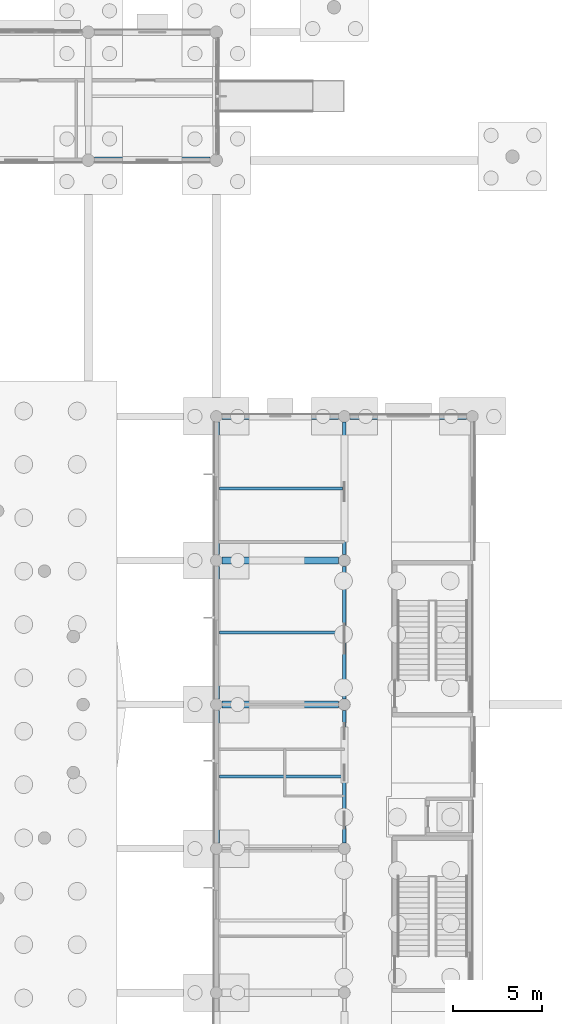
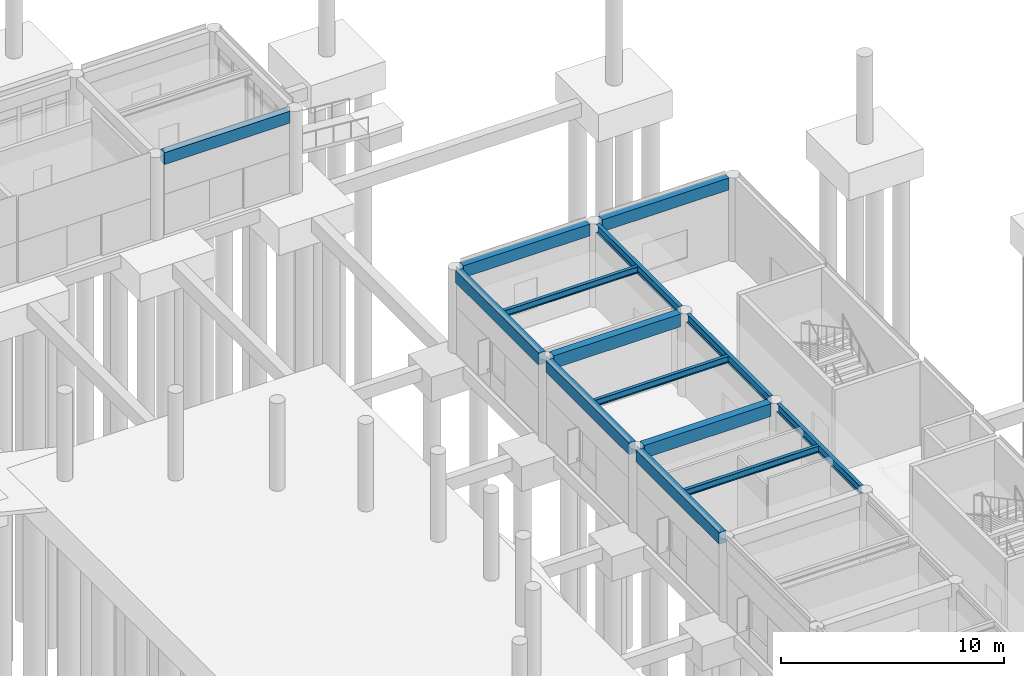
# One storey, part 37 of 103: 14 beams.
"""IFC4 building model written with IfcOpenShell, lengths in metres."""

from ifc_helpers import new_model, si_unit, direction, frame, origin, origin_2d, place, context, subcontext, project, spatial, rectangle, i_section, extrude, material, material_profile, profile_set, type_object, element, save


model = new_model("IFC4")

# Units and contexts
model_context = context("Model", 3, precision=1e-05, world=origin(), true_north=direction((0.0, 1.0)))
body_context = subcontext(model_context, "Body", "Model", "MODEL_VIEW")
ifc_project = project(units=[si_unit("LENGTHUNIT", "METRE"), si_unit("AREAUNIT", "SQUARE_METRE"), si_unit("VOLUMEUNIT", "CUBIC_METRE"), si_unit("PLANEANGLEUNIT", "RADIAN"), si_unit("MASSUNIT", "GRAM", prefix="KILO")], contexts=[model_context])

# Site, building, storey
site_placement = place(None, origin())
site = spatial("IfcSite", under=ifc_project, at=site_placement, CompositionType="ELEMENT")
building_placement = place(site_placement, origin())
building = spatial("IfcBuilding", under=site, at=building_placement, Name="Namkhue Oval Health Centre", CompositionType="ELEMENT")
storey_placement = place(building_placement, origin())
storey = spatial("IfcBuildingStorey", under=building, at=storey_placement, Name="L00", CompositionType="ELEMENT", Elevation=0.0)

# Beams
ifc_material_1 = material(Name="Structural steel EN 10025-2 S355JR (TCVN 5575:2024)", Category="steel")
ifc_material_profile_1 = material_profile(ifc_material_1, i_section(OverallWidth=0.18994140625, OverallDepth=0.449951171875, WebThickness=0.009521484375, FlangeThickness=0.0146484375, FilletRadius=0.02099609375, at=origin_2d()), Name="IPE 450")
ifc_profile_set_1 = profile_set([ifc_material_profile_1], Name="Structural steel EN 10025-2 S355JR (TCVN 5575:2024)")
beam_type_1 = type_object("IfcBeamType", Name="FLOOR BEAM STEEL IPE 450", PredefinedType="BEAM", material=ifc_profile_set_1)
for number, where, z_axis, x_axis, name in (
    (1, (144.0, 51.625, 4.340087890625), (0.0, 1.0, 0.0), (-1.0, 0.0, 0.0), "Volume V6 L01 Beam 21/H-J"),
    (2, (144.0, 59.72509765625, 4.340087890625), (0.0, 1.0, 0.0), (-1.0, 0.0, 0.0), "Volume V6 L01 Beam 21/J-K"),
    (3, (144.0, 67.824951171875, 4.340087890625), (0.0, 1.0, 0.0), (-1.0, 0.0, 0.0), "Volume V6 L01 Beam 21/K-L"),
):
    element("IfcBeam", number, at=place(storey_placement, frame(where, z_axis=z_axis, x_axis=x_axis)), inside=storey, type_object=beam_type_1, Name=name, PredefinedType="BEAM", context=body_context, shape_type="SweptSolid", body=[
        extrude(i_section(OverallWidth=0.18994140625, OverallDepth=0.449951171875, WebThickness=0.009521484375, FlangeThickness=0.0146484375, FilletRadius=0.02099609375, at=origin_2d()), origin(), (0.0, 0.0, 1.0), 7.449951171875),
    ])
ifc_material_2 = material(Name="Reinforced concrete C35/45 (TCVN B40)", Category="concrete")
ifc_material_profile_2 = material_profile(ifc_material_2, rectangle(XDim=0.35009765625, YDim=0.64990234375, at=origin_2d()), Name="RC 350x650")
ifc_profile_set_2 = profile_set([ifc_material_profile_2], Name="Reinforced concrete C35/45 (TCVN B40)")
beam_type_2 = type_object("IfcBeamType", Name="PERIMETER SPANDREL BEAM 350X650", PredefinedType="SPANDREL", material=ifc_profile_set_2)
beam_placement = place(storey_placement, frame((129.949951171875, 90.0, 4.2099609375), z_axis=(1.0, 0.0, 0.0), x_axis=(0.0, 1.0, 0.0)))
element("IfcBeam", 4, at=beam_placement, inside=storey, type_object=beam_type_2, Name="Volume V3 L01 Girder N/19-20", PredefinedType="SPANDREL", context=body_context, shape_type="SweptSolid", body=[
    extrude(rectangle(XDim=0.35009765625, YDim=0.64990234375, at=origin_2d()), origin(), (0.0, 0.0, 1.0), 6.5),
])
for number, where, z_axis, x_axis, name in (
    (5, (137.125, 75.60009765625, 4.239990234375), (1.0, 0.0, 0.0), (0.0, 1.0, 0.0), "Volume V6 L01 Girder L/20-21"),
    (6, (144.324951171875, 75.60009765625, 4.239990234375), (1.0, 0.0, 0.0), (0.0, 1.0, 0.0), "Volume V6 L01 Girder L/21-22"),
):
    element("IfcBeam", number, at=place(storey_placement, frame(where, z_axis=z_axis, x_axis=x_axis)), inside=storey, type_object=beam_type_2, Name=name, PredefinedType="SPANDREL", context=body_context, shape_type="SweptSolid", body=[
        extrude(rectangle(XDim=0.35009765625, YDim=0.64990234375, at=origin_2d()), origin(), (0.0, 0.0, 1.0), 6.550048828125),
    ])
for number, where, z_axis, x_axis, name in (
    (7, (136.800048828125, 51.625, 4.239990234375), (0.0, 1.0, 0.0), (-1.0, 0.0, 0.0), "Volume V6 L01 Beam 20/H-J"),
    (8, (136.800048828125, 59.72509765625, 4.239990234375), (0.0, 1.0, 0.0), (-1.0, 0.0, 0.0), "Volume V6 L01 Beam 20/J-K"),
    (9, (136.800048828125, 67.824951171875, 4.239990234375), (0.0, 1.0, 0.0), (-1.0, 0.0, 0.0), "Volume V6 L01 Beam 20/K-L"),
):
    element("IfcBeam", number, at=place(storey_placement, frame(where, z_axis=z_axis, x_axis=x_axis)), inside=storey, type_object=beam_type_2, Name=name, PredefinedType="SPANDREL", context=body_context, shape_type="SweptSolid", body=[
        extrude(rectangle(XDim=0.35009765625, YDim=0.64990234375, at=origin_2d()), origin(), (0.0, 0.0, 1.0), 7.449951171875),
    ])
ifc_material_profile_3 = material_profile(ifc_material_2, rectangle(XDim=0.39990234375, YDim=0.699951171875, at=origin_2d()), Name="RC 400x700")
ifc_profile_set_3 = profile_set([ifc_material_profile_3], Name="Reinforced concrete C35/45 (TCVN B40)")
beam_type_3 = type_object("IfcBeamType", Name="PRIMARY GIRDER RC 400X700", PredefinedType="USERDEFINED", material=ifc_profile_set_3)
for number, where, z_axis, x_axis, name in (
    (10, (137.125, 59.39990234375, 4.215087890625), (1.0, 0.0, 0.0), (0.0, 1.0, 0.0), "Volume V6 L01 Girder J/20-21"),
    (11, (137.125, 67.5, 4.215087890625), (1.0, 0.0, 0.0), (0.0, 1.0, 0.0), "Volume V6 L01 Girder K/20-21"),
):
    element("IfcBeam", number, at=place(storey_placement, frame(where, z_axis=z_axis, x_axis=x_axis)), inside=storey, type_object=beam_type_3, Name=name, ObjectType="GIRDER", PredefinedType="USERDEFINED", context=body_context, shape_type="SweptSolid", body=[
        extrude(rectangle(XDim=0.39990234375, YDim=0.699951171875, at=origin_2d()), origin(), (0.0, 0.0, 1.0), 6.550048828125),
    ])
ifc_material_profile_4 = material_profile(ifc_material_1, i_section(OverallWidth=0.169921875, OverallDepth=0.360107421875, WebThickness=0.008056640625, FlangeThickness=0.0126953125, FilletRadius=0.01806640625, at=origin_2d()), Name="IPE 360")
ifc_profile_set_4 = profile_set([ifc_material_profile_4], Name="Structural steel EN 10025-2 S355JR (TCVN 5575:2024)")
beam_type_4 = type_object("IfcBeamType", Name="SECONDARY JOIST STEEL IPE 360", PredefinedType="JOIST", material=ifc_profile_set_4)
for number, where, z_axis, x_axis, name in (
    (12, (136.97509765625, 55.35009765625, 4.385009765625), (1.0, 0.0, 0.0), (0.0, 1.0, 0.0), "Volume V6 L01 Secondary Joist 20-21"),
    (13, (136.97509765625, 63.449951171875, 4.385009765625), (1.0, 0.0, 0.0), (0.0, 1.0, 0.0), "Volume V6 L01 Secondary Joist 20-21"),
    (14, (136.97509765625, 71.550048828125, 4.385009765625), (1.0, 0.0, 0.0), (0.0, 1.0, 0.0), "Volume V6 L01 Secondary Joist 20-21"),
):
    element("IfcBeam", number, at=place(storey_placement, frame(where, z_axis=z_axis, x_axis=x_axis)), inside=storey, type_object=beam_type_4, Name=name, PredefinedType="JOIST", context=body_context, shape_type="SweptSolid", body=[
        extrude(i_section(OverallWidth=0.169921875, OverallDepth=0.360107421875, WebThickness=0.008056640625, FlangeThickness=0.0126953125, FilletRadius=0.01806640625, at=origin_2d()), origin(), (0.0, 0.0, 1.0), 6.929931640625),
    ])

save(model, "model.ifc")
